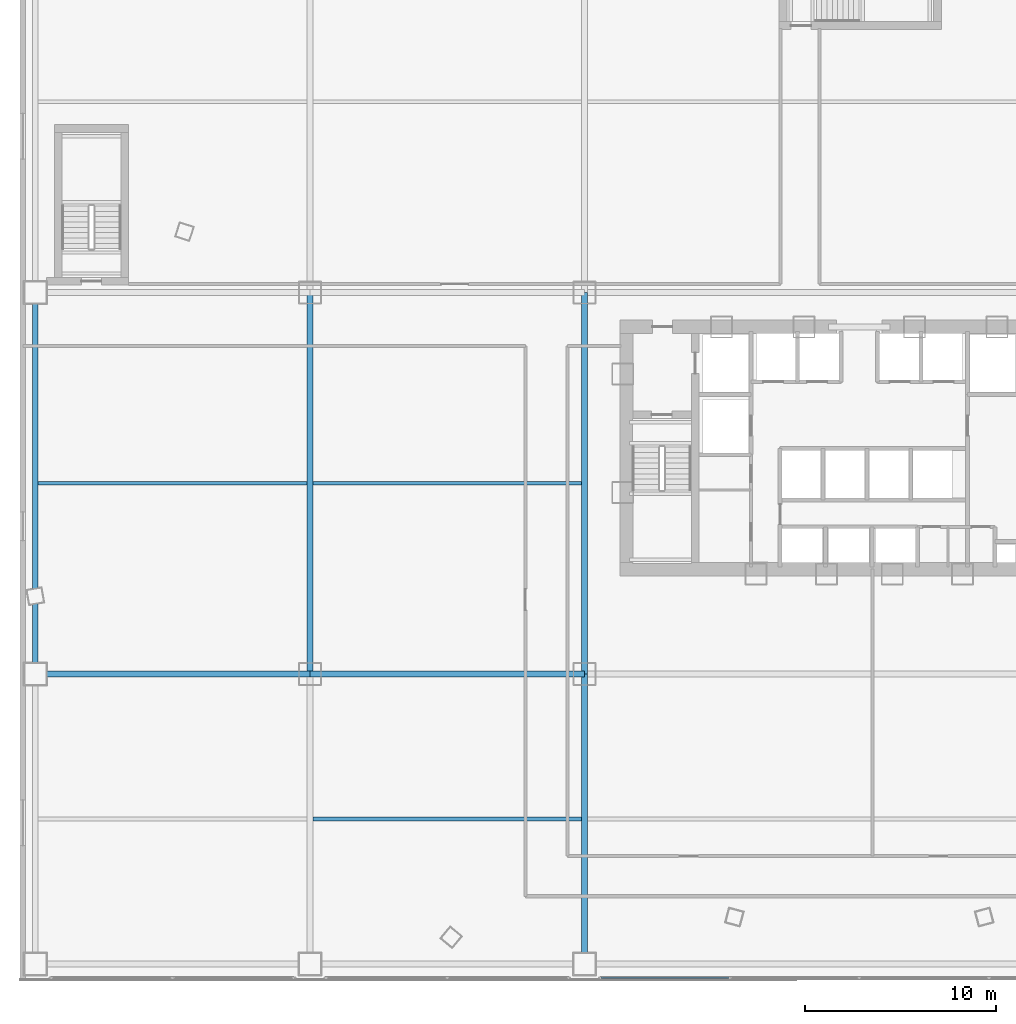
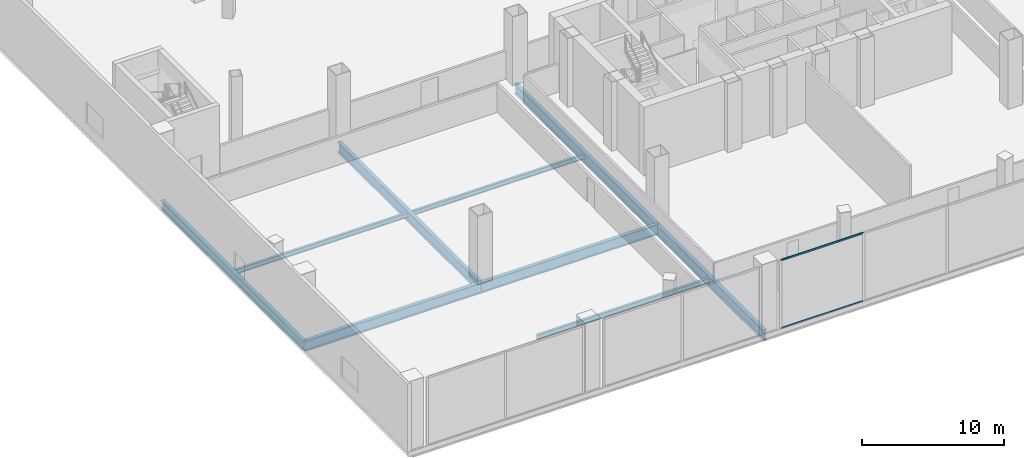
# One storey, part 6 of 41: 9 beams, 2 members, 1 element without a shape of its own.
"""IFC4 building model written with IfcOpenShell, lengths in metres."""

from ifc_helpers import new_model, si_unit, direction, frame, origin, origin_2d, place, context, subcontext, project, spatial, hollow_rectangle, i_section, extrude, source, transform, mapped, material, layer, layer_set, material_profile, profile_set, type_object, element, aggregate, save


model = new_model("IFC4")

# Units and contexts
model_context = context("Model", 3, precision=1e-05, world=origin(), true_north=direction((0.0, 1.0)))
body_context = subcontext(model_context, "Body", "Model", "MODEL_VIEW")
ifc_project = project(units=[si_unit("LENGTHUNIT", "METRE"), si_unit("AREAUNIT", "SQUARE_METRE"), si_unit("VOLUMEUNIT", "CUBIC_METRE"), si_unit("PLANEANGLEUNIT", "RADIAN"), si_unit("MASSUNIT", "GRAM", prefix="KILO"), si_unit("THERMODYNAMICTEMPERATUREUNIT", "KELVIN"), si_unit("POWERUNIT", "WATT")], contexts=[model_context])

# Site, building, storey
site_placement = place(None, origin())
site = spatial("IfcSite", under=ifc_project, at=site_placement, CompositionType="ELEMENT")
building_placement = place(site_placement, origin())
building = spatial("IfcBuilding", under=site, at=building_placement, Name="Yunzhuo Pagoda Commons", CompositionType="ELEMENT")
storey_placement = place(building_placement, frame((0.0, 0.0, 19.199951171875)))
storey = spatial("IfcBuildingStorey", under=building, at=storey_placement, Name="L05", CompositionType="ELEMENT", Elevation=19.199951171875)

# Beams
ifc_material_1 = material(Name="Structural steel Q355B", Category="steel")
ifc_material_profile_1 = material_profile(ifc_material_1, i_section(OverallWidth=0.300048828125, OverallDepth=0.89990234375, WebThickness=0.01611328125, FlangeThickness=0.028076171875, at=origin_2d()), Name="Structural steel Q355B")
ifc_profile_set_1 = profile_set([ifc_material_profile_1], Name="Structural steel Q355B")
beam_type_1 = type_object("IfcBeamType", Name="B-PD1 Beam HN 900x300x16x28", PredefinedType="BEAM", material=ifc_profile_set_1)
shared_shape_1 = source(origin(), body_context, "Body", "SweptSolid", [
    extrude(i_section(OverallWidth=0.300048828125, OverallDepth=0.89990234375, WebThickness=0.01611328125, FlangeThickness=0.028076171875, at=origin_2d()), origin(), (0.0, 0.0, 1.0), 14.39990234375),
])
beam_1_placement = place(storey_placement, frame((4.800048828125, 22.0, -0.72998046875), z_axis=(1.0, 0.0, 0.0), x_axis=(0.0, 1.0, 0.0)))
element("IfcBeam", 1, at=beam_1_placement, inside=storey, type_object=beam_type_1, Name="L05 podium girder EW 2.1", PredefinedType="BEAM", context=body_context, shape_type="MappedRepresentation", body=[
    mapped(shared_shape_1, transform((0.0, 0.0, 0.0), scale=1.0)),
])
shared_shape_2 = source(origin(), body_context, "Body", "SweptSolid", [
    extrude(i_section(OverallWidth=0.300048828125, OverallDepth=0.89990234375, WebThickness=0.01611328125, FlangeThickness=0.028076171875, at=origin_2d()), origin(), (0.0, 0.0, 1.0), 14.400146484375),
])
beam_2_placement = place(storey_placement, frame((19.199951171875, 22.0, -0.72998046875), z_axis=(1.0, 0.0, 0.0), x_axis=(0.0, 1.0, 0.0)))
element("IfcBeam", 2, at=beam_2_placement, inside=storey, type_object=beam_type_1, Name="L05 podium girder EW 2.2", PredefinedType="BEAM", context=body_context, shape_type="MappedRepresentation", body=[
    mapped(shared_shape_2, transform((0.0, 0.0, 0.0), scale=1.0)),
])
ifc_material_profile_2 = material_profile(ifc_material_1, i_section(OverallWidth=0.199951171875, OverallDepth=0.39990234375, WebThickness=0.008056640625, FlangeThickness=0.012939453125, at=origin_2d()), Name="Structural steel Q355B")
ifc_profile_set_2 = profile_set([ifc_material_profile_2], Name="Structural steel Q355B")
beam_type_2 = type_object("IfcBeamType", Name="B-JS1 Joist HN 400x200x8x13", PredefinedType="JOIST", material=ifc_profile_set_2)
shared_shape_3 = source(origin(), body_context, "Body", "SweptSolid", [
    extrude(i_section(OverallWidth=0.199951171875, OverallDepth=0.39990234375, WebThickness=0.008056640625, FlangeThickness=0.012939453125, at=origin_2d()), origin(), (0.0, 0.0, 1.0), 14.08984375),
])
for number, where, z_axis, x_axis, name in (
    (3, (4.955078125, 32.0, -0.47998046875), (1.0, 0.0, 0.0), (0.0, 1.0, 0.0), "L05 podium composite joist 1.2"),
    (4, (19.355224609375, 14.39990234375, -0.47998046875), (1.0, 0.0, 0.0), (0.0, 1.0, 0.0), "L05 podium composite joist 2.1"),
    (5, (19.355224609375, 32.0, -0.47998046875), (1.0, 0.0, 0.0), (0.0, 1.0, 0.0), "L05 podium composite joist 2.2"),
):
    element("IfcBeam", number, at=place(storey_placement, frame(where, z_axis=z_axis, x_axis=x_axis)), inside=storey, type_object=beam_type_2, Name=name, PredefinedType="JOIST", context=body_context, shape_type="MappedRepresentation", body=[
        mapped(shared_shape_3, transform((0.0, 0.0, 0.0), scale=1.0)),
    ])
ifc_material_profile_3 = material_profile(ifc_material_1, i_section(OverallWidth=0.300048828125, OverallDepth=0.800048828125, WebThickness=0.013916015625, FlangeThickness=0.02587890625, at=origin_2d()), Name="Structural steel Q355B")
ifc_profile_set_3 = profile_set([ifc_material_profile_3], Name="Structural steel Q355B")
beam_type_3 = type_object("IfcBeamType", Name="B-PD2 Beam HN 800x300x14x26", PredefinedType="BEAM", material=ifc_profile_set_3)
shared_shape_4 = source(origin(), body_context, "Body", "SweptSolid", [
    extrude(i_section(OverallWidth=0.300048828125, OverallDepth=0.800048828125, WebThickness=0.013916015625, FlangeThickness=0.02587890625, at=origin_2d()), origin(), (0.0, 0.0, 1.0), 20.0),
])
beam_3_placement = place(storey_placement, frame((4.800048828125, 22.0, -0.6796875), z_axis=(0.0, 1.0, 0.0), x_axis=(-1.0, 0.0, 0.0)))
element("IfcBeam", 6, at=beam_3_placement, inside=storey, type_object=beam_type_3, Name="L05 podium girder NS 1.2", PredefinedType="BEAM", context=body_context, shape_type="MappedRepresentation", body=[
    mapped(shared_shape_4, transform((0.0, 0.0, 0.0), scale=1.0)),
])
shared_shape_5 = source(origin(), body_context, "Body", "SweptSolid", [
    extrude(i_section(OverallWidth=0.300048828125, OverallDepth=0.89990234375, WebThickness=0.01611328125, FlangeThickness=0.028076171875, at=origin_2d()), origin(), (0.0, 0.0, 1.0), 15.199951171875),
])
beam_4_placement = place(storey_placement, frame((33.60009765625, 6.800048828125, -0.72998046875), z_axis=(0.0, 1.0, 0.0), x_axis=(-1.0, 0.0, 0.0)))
element("IfcBeam", 7, at=beam_4_placement, inside=storey, type_object=beam_type_1, Name="L05 podium girder NS 3.1", PredefinedType="BEAM", context=body_context, shape_type="MappedRepresentation", body=[
    mapped(shared_shape_5, transform((0.0, 0.0, 0.0), scale=1.0)),
])
shared_shape_6 = source(origin(), body_context, "Body", "SweptSolid", [
    extrude(i_section(OverallWidth=0.300048828125, OverallDepth=0.89990234375, WebThickness=0.01611328125, FlangeThickness=0.028076171875, at=origin_2d()), origin(), (0.0, 0.0, 1.0), 20.0),
])
for number, where, z_axis, x_axis, name in (
    (8, (19.199951171875, 22.0, -0.72998046875), (0.0, 1.0, 0.0), (-1.0, 0.0, 0.0), "L05 podium girder NS 2.2"),
    (9, (33.60009765625, 22.0, -0.72998046875), (0.0, 1.0, 0.0), (-1.0, 0.0, 0.0), "L05 podium girder NS 3.2"),
):
    element("IfcBeam", number, at=place(storey_placement, frame(where, z_axis=z_axis, x_axis=x_axis)), inside=storey, type_object=beam_type_1, Name=name, PredefinedType="BEAM", context=body_context, shape_type="MappedRepresentation", body=[
        mapped(shared_shape_6, transform((0.0, 0.0, 0.0), scale=1.0)),
    ])

# Curtain wall, members
ifc_material_2 = material(Name="Anodized aluminium 6063-T6", Category="aluminium")
ifc_layer = layer(ifc_material_2, 0.179931640625)
ifc_layer_set = layer_set([ifc_layer], Name="Anodized aluminium 6063-T6")
curtain_wall_type = type_object("IfcCurtainWallType", Name="CW-POD Waterfront Podium Curtain Wall", PredefinedType="NOTDEFINED", material=ifc_layer_set)
curtain_wall_placement = place(storey_placement, origin())
curtain_wall = element("IfcCurtainWall", 10, at=curtain_wall_placement, inside=storey, type_object=curtain_wall_type, Name="L05 curtain wall CW-L05-S3", PredefinedType="NOTDEFINED")
ifc_material_profile_4 = material_profile(ifc_material_2, hollow_rectangle(XDim=0.06005859375, YDim=0.14990234375, WallThickness=0.00390625, at=origin_2d()), Name="Anodized aluminium 6063-T6")
ifc_profile_set_4 = profile_set([ifc_material_profile_4], Name="Anodized aluminium 6063-T6")
member_type = type_object("IfcMemberType", Name="CW-POD-T Transom RHS 150x60x4", PredefinedType="USERDEFINED", material=ifc_profile_set_4)
shared_shape_7 = source(origin(), body_context, "Body", "SweptSolid", [
    extrude(hollow_rectangle(XDim=0.06005859375, YDim=0.14990234375, WallThickness=0.00390625, at=origin_2d()), origin(), (0.0, 0.0, 1.0), 6.70263671875),
])
member_1_placement = place(storey_placement, frame((34.465087890625, 6.080078125, 0.0302734375), z_axis=(1.0, 0.0, 0.0), x_axis=(0.0, 1.0, 0.0)))
member_1 = element("IfcMember", 11, at=member_1_placement, type_object=member_type, Name="CW transom 1.1", ObjectType="TRANSOM", PredefinedType="USERDEFINED", context=body_context, shape_type="MappedRepresentation", body=[
    mapped(shared_shape_7, transform((0.0, 0.0, 0.0), scale=1.0)),
])
member_2_placement = place(storey_placement, frame((34.465087890625, 6.080078125, 5.89013671875), z_axis=(1.0, 0.0, 0.0), x_axis=(0.0, 1.0, 0.0)))
member_2 = element("IfcMember", 12, at=member_2_placement, type_object=member_type, Name="CW transom 1.2", ObjectType="TRANSOM", PredefinedType="USERDEFINED", context=body_context, shape_type="MappedRepresentation", body=[
    mapped(shared_shape_7, transform((0.0, 0.0, 0.0), scale=1.0)),
])
aggregate(curtain_wall, [member_1, member_2])

save(model, "model.ifc")
